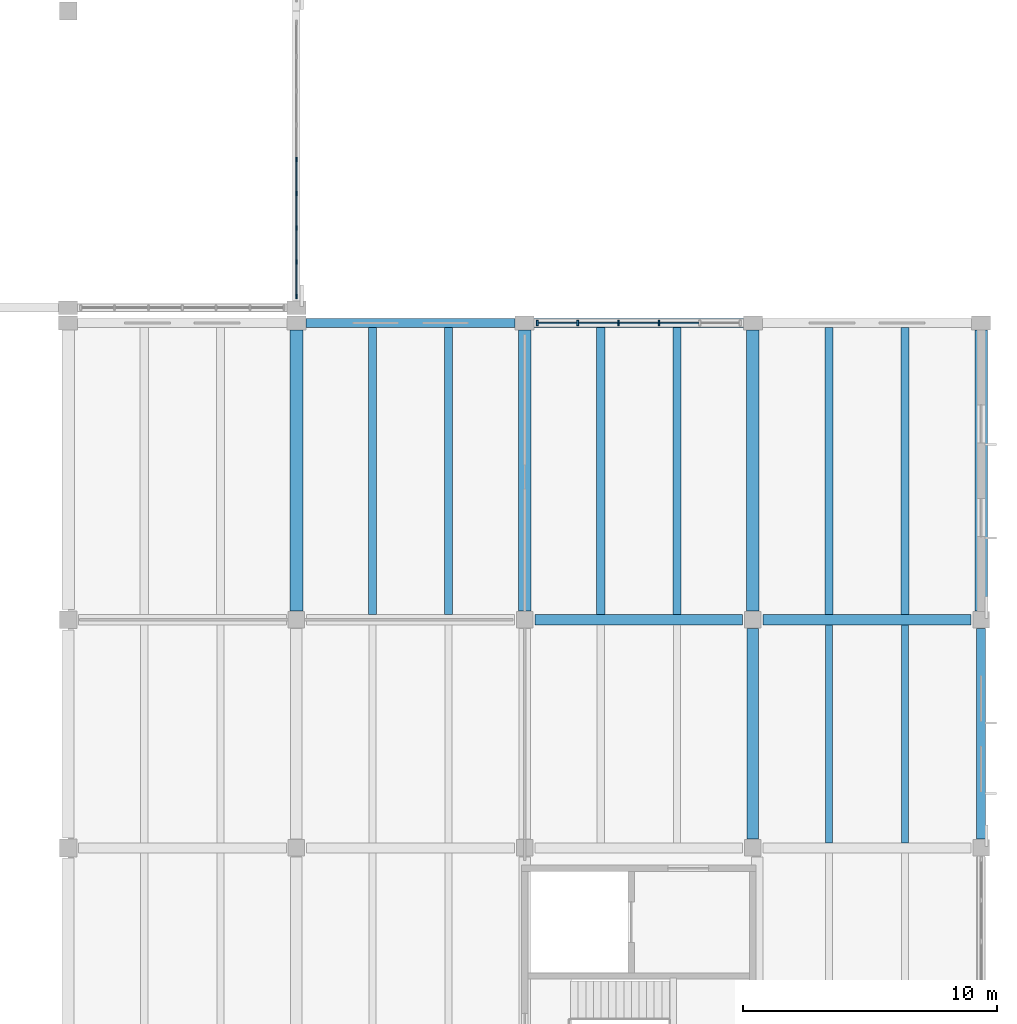
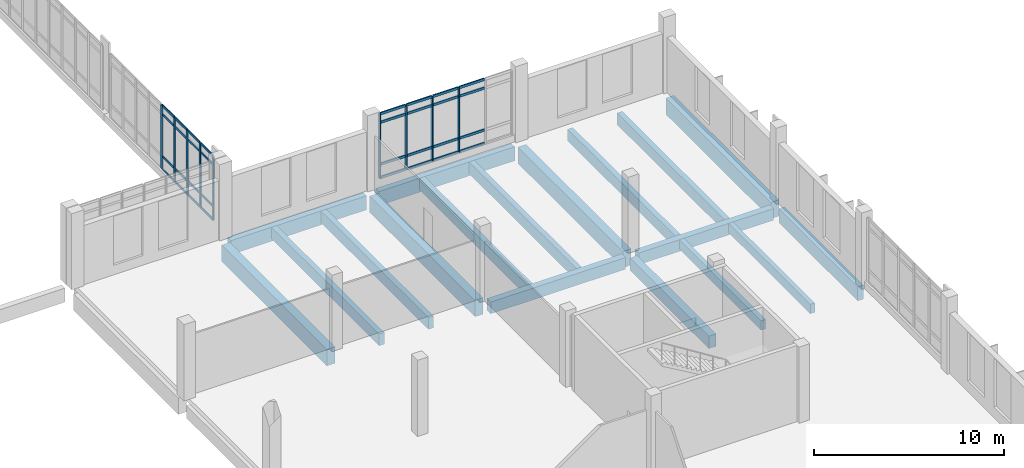
# One storey, part 46 of 110: 41 members, 18 beams, 2 elements without a shape of their own.
"""IFC4 building model written with IfcOpenShell, lengths in metres."""

from ifc_helpers import new_model, si_unit, direction, frame, origin, origin_2d, place, context, subcontext, project, spatial, rectangle, extrude, material, layer, layer_set, material_profile, profile_set, type_object, element, aggregate, save


model = new_model("IFC4")

# Units and contexts
model_context = context("Model", 3, precision=1e-05, world=origin(), true_north=direction((0.0, 1.0)))
body_context = subcontext(model_context, "Body", "Model", "MODEL_VIEW")
ifc_project = project(units=[si_unit("LENGTHUNIT", "METRE"), si_unit("AREAUNIT", "SQUARE_METRE"), si_unit("VOLUMEUNIT", "CUBIC_METRE"), si_unit("PLANEANGLEUNIT", "RADIAN"), si_unit("MASSUNIT", "GRAM", prefix="KILO")], contexts=[model_context])

# Site, building, storey
site_placement = place(None, origin())
site = spatial("IfcSite", under=ifc_project, at=site_placement, CompositionType="ELEMENT")
building_placement = place(site_placement, origin())
building = spatial("IfcBuilding", under=site, at=building_placement, Name="Zacnel Wholesale Market", CompositionType="ELEMENT")
storey_placement = place(building_placement, frame((0.0, 0.0, 6.300048828125)))
storey = spatial("IfcBuildingStorey", under=building, at=storey_placement, Name="L02", CompositionType="ELEMENT", Elevation=6.300048828125)

# Beams
ifc_material_1 = material(Name="Precast concrete C45/55", Category="concrete")
ifc_material_profile_1 = material_profile(ifc_material_1, rectangle(XDim=0.280029296875, YDim=0.60009765625, at=origin_2d()), Name="DT RIB 280x600")
ifc_profile_set_1 = profile_set([ifc_material_profile_1], Name="Precast concrete C45/55")
beam_type_1 = type_object("IfcBeamType", Name="BM-DT600", PredefinedType="JOIST", material=ifc_profile_set_1)
for number, where, z_axis, x_axis, name in (
    (1, (210.0, 75.199951171875, -0.60009765625), (0.0, 1.0, 0.0), (-1.0, 0.0, 0.0), "Precast secondary joist L02-0257"),
    (2, (213.0, 75.199951171875, -0.60009765625), (0.0, 1.0, 0.0), (-1.0, 0.0, 0.0), "Precast secondary joist L02-0258"),
):
    element("IfcBeam", number, at=place(storey_placement, frame(where, z_axis=z_axis, x_axis=x_axis)), inside=storey, type_object=beam_type_1, Name=name, PredefinedType="JOIST", context=body_context, shape_type="SweptSolid", body=[
        extrude(rectangle(XDim=0.280029296875, YDim=0.60009765625, at=origin_2d()), origin(), (0.0, 0.0, 1.0), 8.60009765625),
    ])
ifc_material_2 = material(Name="Precast concrete C45/55", Category="concrete")
ifc_material_profile_2 = material_profile(ifc_material_2, rectangle(XDim=0.320068359375, YDim=0.75, at=origin_2d()), Name="DT RIB 320x750")
ifc_profile_set_2 = profile_set([ifc_material_profile_2], Name="Precast concrete C45/55")
beam_type_2 = type_object("IfcBeamType", Name="BM-DT750", PredefinedType="JOIST", material=ifc_profile_set_2)
for number, where, z_axis, x_axis, name in (
    (3, (192.0, 84.199951171875, -0.675048828125), (0.0, 1.0, 0.0), (-1.0, 0.0, 0.0), "Precast secondary joist L02-0273"),
    (4, (195.0, 84.199951171875, -0.675048828125), (0.0, 1.0, 0.0), (-1.0, 0.0, 0.0), "Precast secondary joist L02-0274"),
    (5, (201.0, 84.199951171875, -0.675048828125), (0.0, 1.0, 0.0), (-1.0, 0.0, 0.0), "Precast secondary joist L02-0275"),
    (6, (204.0, 84.199951171875, -0.675048828125), (0.0, 1.0, 0.0), (-1.0, 0.0, 0.0), "Precast secondary joist L02-0276"),
    (7, (210.0, 84.199951171875, -0.675048828125), (0.0, 1.0, 0.0), (-1.0, 0.0, 0.0), "Precast secondary joist L02-0277"),
    (8, (213.0, 84.199951171875, -0.675048828125), (0.0, 1.0, 0.0), (-1.0, 0.0, 0.0), "Precast secondary joist L02-0278"),
):
    element("IfcBeam", number, at=place(storey_placement, frame(where, z_axis=z_axis, x_axis=x_axis)), inside=storey, type_object=beam_type_2, Name=name, PredefinedType="JOIST", context=body_context, shape_type="SweptSolid", body=[
        extrude(rectangle(XDim=0.320068359375, YDim=0.75, at=origin_2d()), origin(), (0.0, 0.0, 1.0), 11.324951171875),
    ])
ifc_material_3 = material(Name="Precast concrete C45/55", Category="concrete")
ifc_material_profile_3 = material_profile(ifc_material_3, rectangle(XDim=0.5, YDim=1.050048828125, at=origin_2d()), Name="PG 500x1050")
ifc_profile_set_3 = profile_set([ifc_material_profile_3], Name="Precast concrete C45/55")
beam_type_3 = type_object("IfcBeamType", Name="BM-PG1050", PredefinedType="T_BEAM", material=ifc_profile_set_3)
for number, where, z_axis, x_axis, name in (
    (9, (189.0, 84.35009765625, -0.824951171875), (0.0, 1.0, 0.0), (-1.0, 0.0, 0.0), "Precast girder Y-0522"),
    (10, (198.0, 84.35009765625, -0.824951171875), (0.0, 1.0, 0.0), (-1.0, 0.0, 0.0), "Precast girder Y-0534"),
    (11, (207.0, 84.35009765625, -0.824951171875), (0.0, 1.0, 0.0), (-1.0, 0.0, 0.0), "Precast girder Y-0545"),
    (12, (216.0, 84.35009765625, -0.824951171875), (0.0, 1.0, 0.0), (-1.0, 0.0, 0.0), "Precast girder Y-0556"),
):
    element("IfcBeam", number, at=place(storey_placement, frame(where, z_axis=z_axis, x_axis=x_axis)), inside=storey, type_object=beam_type_3, Name=name, PredefinedType="T_BEAM", context=body_context, shape_type="SweptSolid", body=[
        extrude(rectangle(XDim=0.5, YDim=1.050048828125, at=origin_2d()), origin(), (0.0, 0.0, 1.0), 11.074951171875),
    ])
ifc_material_4 = material(Name="Precast concrete C45/55", Category="concrete")
ifc_material_profile_4 = material_profile(ifc_material_4, rectangle(XDim=0.39990234375, YDim=0.75, at=origin_2d()), Name="PG 400x750")
ifc_profile_set_4 = profile_set([ifc_material_profile_4], Name="Precast concrete C45/55")
beam_type_4 = type_object("IfcBeamType", Name="BM-PG750", PredefinedType="BEAM", material=ifc_profile_set_4)
for number, where, z_axis, x_axis, name in (
    (13, (198.39990234375, 84.0, -0.675048828125), (1.0, 0.0, 0.0), (0.0, 1.0, 0.0), "Precast girder X-0207"),
    (14, (207.39990234375, 84.0, -0.675048828125), (1.0, 0.0, 0.0), (0.0, 1.0, 0.0), "Precast girder X-0208"),
):
    element("IfcBeam", number, at=place(storey_placement, frame(where, z_axis=z_axis, x_axis=x_axis)), inside=storey, type_object=beam_type_4, Name=name, PredefinedType="BEAM", context=body_context, shape_type="SweptSolid", body=[
        extrude(rectangle(XDim=0.39990234375, YDim=0.75, at=origin_2d()), origin(), (0.0, 0.0, 1.0), 8.2001953125),
    ])
ifc_material_5 = material(Name="Precast concrete C45/55", Category="concrete")
ifc_material_profile_5 = material_profile(ifc_material_5, rectangle(XDim=0.449951171875, YDim=0.800048828125, at=origin_2d()), Name="PG 450x800")
ifc_profile_set_5 = profile_set([ifc_material_profile_5], Name="Precast concrete C45/55")
beam_type_5 = type_object("IfcBeamType", Name="BM-PG800", PredefinedType="BEAM", material=ifc_profile_set_5)
beam_1_placement = place(storey_placement, frame((207.0, 75.35009765625, -0.699951171875), z_axis=(0.0, 1.0, 0.0), x_axis=(-1.0, 0.0, 0.0)))
element("IfcBeam", 15, at=beam_1_placement, inside=storey, type_object=beam_type_5, Name="Precast girder Y-0544", PredefinedType="BEAM", context=body_context, shape_type="SweptSolid", body=[
    extrude(rectangle(XDim=0.449951171875, YDim=0.800048828125, at=origin_2d()), origin(), (0.0, 0.0, 1.0), 8.2998046875),
])
ifc_material_6 = material(Name="Precast concrete C45/55", Category="concrete")
ifc_material_profile_6 = material_profile(ifc_material_6, rectangle(XDim=0.35009765625, YDim=0.89990234375, at=origin_2d()), Name="SP 350x900")
ifc_profile_set_6 = profile_set([ifc_material_profile_6], Name="Precast concrete C45/55")
beam_type_6 = type_object("IfcBeamType", Name="BM-SP900", PredefinedType="SPANDREL", material=ifc_profile_set_6)
for number, where, z_axis, x_axis, name in (
    (16, (189.375, 95.699951171875, -0.75), (1.0, 0.0, 0.0), (0.0, 1.0, 0.0), "Precast girder X-0218"),
    (17, (198.375, 95.699951171875, -0.75), (1.0, 0.0, 0.0), (0.0, 1.0, 0.0), "Precast girder X-0219"),
):
    element("IfcBeam", number, at=place(storey_placement, frame(where, z_axis=z_axis, x_axis=x_axis)), inside=storey, type_object=beam_type_6, Name=name, PredefinedType="SPANDREL", context=body_context, shape_type="SweptSolid", body=[
        extrude(rectangle(XDim=0.35009765625, YDim=0.89990234375, at=origin_2d()), origin(), (0.0, 0.0, 1.0), 8.25),
    ])
beam_2_placement = place(storey_placement, frame((216.0, 75.35009765625, -0.75), z_axis=(0.0, 1.0, 0.0), x_axis=(-1.0, 0.0, 0.0)))
element("IfcBeam", 18, at=beam_2_placement, inside=storey, type_object=beam_type_6, Name="Precast girder Y-0555", PredefinedType="SPANDREL", context=body_context, shape_type="SweptSolid", body=[
    extrude(rectangle(XDim=0.35009765625, YDim=0.89990234375, at=origin_2d()), origin(), (0.0, 0.0, 1.0), 8.2998046875),
])

# Curtain wall, members
ifc_material_7 = material(Name="Anodised aluminium", Category="aluminium")
ifc_layer_1 = layer(ifc_material_7, 0.159912109375)
ifc_layer_set_1 = layer_set([ifc_layer_1], Name="Anodised aluminium")
curtain_wall_type_1 = type_object("IfcCurtainWallType", Name="CW-COURT-4500", PredefinedType="NOTDEFINED", material=ifc_layer_set_1)
curtain_wall_1_placement = place(storey_placement, origin())
curtain_wall_1 = element("IfcCurtainWall", 19, at=curtain_wall_1_placement, inside=storey, type_object=curtain_wall_type_1, Name="Curtain wall ENV-R2-CW-L02-046", PredefinedType="NOTDEFINED")
ifc_material_8 = material(Name="Anodised aluminium", Category="aluminium")
ifc_material_profile_7 = material_profile(ifc_material_8, rectangle(XDim=0.070068359375, YDim=0.199951171875, at=origin_2d()), Name="AW-MULLION 70x200")
ifc_profile_set_7 = profile_set([ifc_material_profile_7], Name="Anodised aluminium")
member_type_1 = type_object("IfcMemberType", Name="CWM-MUL-02", PredefinedType="MULLION", material=ifc_profile_set_7)
member_1_placement = place(storey_placement, frame((198.4951171875, 95.699951171875, 0.449951171875), z_axis=(0.0, 0.0, 1.0), x_axis=(1.0, 0.0, 0.0)))
member_1 = element("IfcMember", 20, at=member_1_placement, type_object=member_type_1, Name="ENV-R2-CW-L02-046 mullion 01", PredefinedType="MULLION", context=body_context, shape_type="SweptSolid", body=[
    extrude(rectangle(XDim=0.070068359375, YDim=0.199951171875, at=origin_2d()), origin(), (0.0, 0.0, 1.0), 4.10009765625),
])
member_2_placement = place(storey_placement, frame((200.096923828125, 95.699951171875, 0.449951171875), z_axis=(0.0, 0.0, 1.0), x_axis=(1.0, 0.0, 0.0)))
member_2 = element("IfcMember", 21, at=member_2_placement, type_object=member_type_1, Name="ENV-R2-CW-L02-046 mullion 02", PredefinedType="MULLION", context=body_context, shape_type="SweptSolid", body=[
    extrude(rectangle(XDim=0.070068359375, YDim=0.199951171875, at=origin_2d()), origin(), (0.0, 0.0, 1.0), 4.10009765625),
])
member_3_placement = place(storey_placement, frame((201.698974609375, 95.699951171875, 0.449951171875), z_axis=(0.0, 0.0, 1.0), x_axis=(1.0, 0.0, 0.0)))
member_3 = element("IfcMember", 22, at=member_3_placement, type_object=member_type_1, Name="ENV-R2-CW-L02-046 mullion 03", PredefinedType="MULLION", context=body_context, shape_type="SweptSolid", body=[
    extrude(rectangle(XDim=0.070068359375, YDim=0.199951171875, at=origin_2d()), origin(), (0.0, 0.0, 1.0), 4.10009765625),
])
member_4_placement = place(storey_placement, frame((203.301025390625, 95.699951171875, 0.449951171875), z_axis=(0.0, 0.0, 1.0), x_axis=(1.0, 0.0, 0.0)))
member_4 = element("IfcMember", 23, at=member_4_placement, type_object=member_type_1, Name="ENV-R2-CW-L02-046 mullion 04", PredefinedType="MULLION", context=body_context, shape_type="SweptSolid", body=[
    extrude(rectangle(XDim=0.070068359375, YDim=0.199951171875, at=origin_2d()), origin(), (0.0, 0.0, 1.0), 4.10009765625),
])

ifc_material_9 = material(Name="Anodised aluminium", Category="aluminium")
ifc_layer_2 = layer(ifc_material_9, 0.159912109375)
ifc_layer_set_2 = layer_set([ifc_layer_2], Name="Anodised aluminium")
curtain_wall_type_2 = type_object("IfcCurtainWallType", Name="CW-NAVE-4200", PredefinedType="NOTDEFINED", material=ifc_layer_set_2)
curtain_wall_2_placement = place(storey_placement, origin())
curtain_wall_2 = element("IfcCurtainWall", 24, at=curtain_wall_2_placement, inside=storey, type_object=curtain_wall_type_2, Name="Curtain wall ENV-R2-CW-L02-032", PredefinedType="NOTDEFINED")
ifc_material_10 = material(Name="Anodised aluminium", Category="aluminium")
ifc_material_profile_8 = material_profile(ifc_material_10, rectangle(XDim=0.06494140625, YDim=0.179931640625, at=origin_2d()), Name="AW-MULLION 65x180")
ifc_profile_set_8 = profile_set([ifc_material_profile_8], Name="Anodised aluminium")
member_type_2 = type_object("IfcMemberType", Name="CWM-MUL-03", PredefinedType="MULLION", material=ifc_profile_set_8)
member_5_placement = place(storey_placement, frame((189.0, 96.75, 0.449951171875), z_axis=(0.0, 0.0, 1.0), x_axis=(1.0, 0.0, 0.0)))
member_5 = element("IfcMember", 25, at=member_5_placement, type_object=member_type_2, Name="ENV-R2-CW-L02-032 mullion 01", PredefinedType="MULLION", context=body_context, shape_type="SweptSolid", body=[
    extrude(rectangle(XDim=0.06494140625, YDim=0.179931640625, at=origin_2d()), origin(), (0.0, 0.0, 1.0), 4.10009765625),
])
member_6_placement = place(storey_placement, frame((189.0, 98.10009765625, 0.449951171875), z_axis=(0.0, 0.0, 1.0), x_axis=(1.0, 0.0, 0.0)))
member_6 = element("IfcMember", 26, at=member_6_placement, type_object=member_type_2, Name="ENV-R2-CW-L02-032 mullion 02", PredefinedType="MULLION", context=body_context, shape_type="SweptSolid", body=[
    extrude(rectangle(XDim=0.06494140625, YDim=0.179931640625, at=origin_2d()), origin(), (0.0, 0.0, 1.0), 4.10009765625),
])
member_7_placement = place(storey_placement, frame((189.0, 99.449951171875, 0.449951171875), z_axis=(0.0, 0.0, 1.0), x_axis=(1.0, 0.0, 0.0)))
member_7 = element("IfcMember", 27, at=member_7_placement, type_object=member_type_2, Name="ENV-R2-CW-L02-032 mullion 03", PredefinedType="MULLION", context=body_context, shape_type="SweptSolid", body=[
    extrude(rectangle(XDim=0.06494140625, YDim=0.179931640625, at=origin_2d()), origin(), (0.0, 0.0, 1.0), 4.10009765625),
])
member_8_placement = place(storey_placement, frame((189.0, 100.800048828125, 0.449951171875), z_axis=(0.0, 0.0, 1.0), x_axis=(1.0, 0.0, 0.0)))
member_8 = element("IfcMember", 28, at=member_8_placement, type_object=member_type_2, Name="ENV-R2-CW-L02-032 mullion 04", PredefinedType="MULLION", context=body_context, shape_type="SweptSolid", body=[
    extrude(rectangle(XDim=0.06494140625, YDim=0.179931640625, at=origin_2d()), origin(), (0.0, 0.0, 1.0), 4.10009765625),
])
member_9_placement = place(storey_placement, frame((189.0, 102.14990234375, 0.449951171875), z_axis=(0.0, 0.0, 1.0), x_axis=(1.0, 0.0, 0.0)))
member_9 = element("IfcMember", 29, at=member_9_placement, type_object=member_type_2, Name="ENV-R2-CW-L02-032 mullion 05", PredefinedType="MULLION", context=body_context, shape_type="SweptSolid", body=[
    extrude(rectangle(XDim=0.06494140625, YDim=0.179931640625, at=origin_2d()), origin(), (0.0, 0.0, 1.0), 4.10009765625),
])

# Member
ifc_material_11 = material(Name="Anodised aluminium", Category="aluminium")
ifc_material_profile_9 = material_profile(ifc_material_11, rectangle(XDim=0.070068359375, YDim=0.159912109375, at=origin_2d()), Name="AW-TRANSOM 70x160")
ifc_profile_set_9 = profile_set([ifc_material_profile_9], Name="Anodised aluminium")
member_type_3 = type_object("IfcMemberType", Name="CWM-TRN-02", PredefinedType="USERDEFINED", material=ifc_profile_set_9)
member_10_placement = place(storey_placement, frame((198.530029296875, 95.699951171875, 0.449951171875), z_axis=(1.0, 0.0, 0.0), x_axis=(0.0, 1.0, 0.0)))
member_10 = element("IfcMember", 30, at=member_10_placement, type_object=member_type_3, Name="ENV-R2-CW-L02-046 transom 1-1", ObjectType="TRANSOM", PredefinedType="USERDEFINED", context=body_context, shape_type="SweptSolid", body=[
    extrude(rectangle(XDim=0.070068359375, YDim=0.159912109375, at=origin_2d()), origin(), (0.0, 0.0, 1.0), 1.531982421875),
])

member_11_placement = place(storey_placement, frame((198.530029296875, 95.699951171875, 1.300048828125), z_axis=(1.0, 0.0, 0.0), x_axis=(0.0, 1.0, 0.0)))
member_11 = element("IfcMember", 31, at=member_11_placement, type_object=member_type_3, Name="ENV-R2-CW-L02-046 transom 1-2", ObjectType="TRANSOM", PredefinedType="USERDEFINED", context=body_context, shape_type="SweptSolid", body=[
    extrude(rectangle(XDim=0.070068359375, YDim=0.159912109375, at=origin_2d()), origin(), (0.0, 0.0, 1.0), 1.531982421875),
])

member_12_placement = place(storey_placement, frame((198.530029296875, 95.699951171875, 4.0), z_axis=(1.0, 0.0, 0.0), x_axis=(0.0, 1.0, 0.0)))
member_12 = element("IfcMember", 32, at=member_12_placement, type_object=member_type_3, Name="ENV-R2-CW-L02-046 transom 1-3", ObjectType="TRANSOM", PredefinedType="USERDEFINED", context=body_context, shape_type="SweptSolid", body=[
    extrude(rectangle(XDim=0.070068359375, YDim=0.159912109375, at=origin_2d()), origin(), (0.0, 0.0, 1.0), 1.531982421875),
])

member_13_placement = place(storey_placement, frame((198.530029296875, 95.699951171875, 4.550048828125), z_axis=(1.0, 0.0, 0.0), x_axis=(0.0, 1.0, 0.0)))
member_13 = element("IfcMember", 33, at=member_13_placement, type_object=member_type_3, Name="ENV-R2-CW-L02-046 transom 1-4", ObjectType="TRANSOM", PredefinedType="USERDEFINED", context=body_context, shape_type="SweptSolid", body=[
    extrude(rectangle(XDim=0.070068359375, YDim=0.159912109375, at=origin_2d()), origin(), (0.0, 0.0, 1.0), 1.531982421875),
])

member_14_placement = place(storey_placement, frame((200.132080078125, 95.699951171875, 0.449951171875), z_axis=(1.0, 0.0, 0.0), x_axis=(0.0, 1.0, 0.0)))
member_14 = element("IfcMember", 34, at=member_14_placement, type_object=member_type_3, Name="ENV-R2-CW-L02-046 transom 2-1", ObjectType="TRANSOM", PredefinedType="USERDEFINED", context=body_context, shape_type="SweptSolid", body=[
    extrude(rectangle(XDim=0.070068359375, YDim=0.159912109375, at=origin_2d()), origin(), (0.0, 0.0, 1.0), 1.531982421875),
])

member_15_placement = place(storey_placement, frame((200.132080078125, 95.699951171875, 1.300048828125), z_axis=(1.0, 0.0, 0.0), x_axis=(0.0, 1.0, 0.0)))
member_15 = element("IfcMember", 35, at=member_15_placement, type_object=member_type_3, Name="ENV-R2-CW-L02-046 transom 2-2", ObjectType="TRANSOM", PredefinedType="USERDEFINED", context=body_context, shape_type="SweptSolid", body=[
    extrude(rectangle(XDim=0.070068359375, YDim=0.159912109375, at=origin_2d()), origin(), (0.0, 0.0, 1.0), 1.531982421875),
])

member_16_placement = place(storey_placement, frame((200.132080078125, 95.699951171875, 4.0), z_axis=(1.0, 0.0, 0.0), x_axis=(0.0, 1.0, 0.0)))
member_16 = element("IfcMember", 36, at=member_16_placement, type_object=member_type_3, Name="ENV-R2-CW-L02-046 transom 2-3", ObjectType="TRANSOM", PredefinedType="USERDEFINED", context=body_context, shape_type="SweptSolid", body=[
    extrude(rectangle(XDim=0.070068359375, YDim=0.159912109375, at=origin_2d()), origin(), (0.0, 0.0, 1.0), 1.531982421875),
])

member_17_placement = place(storey_placement, frame((200.132080078125, 95.699951171875, 4.550048828125), z_axis=(1.0, 0.0, 0.0), x_axis=(0.0, 1.0, 0.0)))
member_17 = element("IfcMember", 37, at=member_17_placement, type_object=member_type_3, Name="ENV-R2-CW-L02-046 transom 2-4", ObjectType="TRANSOM", PredefinedType="USERDEFINED", context=body_context, shape_type="SweptSolid", body=[
    extrude(rectangle(XDim=0.070068359375, YDim=0.159912109375, at=origin_2d()), origin(), (0.0, 0.0, 1.0), 1.531982421875),
])

member_18_placement = place(storey_placement, frame((201.73388671875, 95.699951171875, 0.449951171875), z_axis=(1.0, 0.0, 0.0), x_axis=(0.0, 1.0, 0.0)))
member_18 = element("IfcMember", 38, at=member_18_placement, type_object=member_type_3, Name="ENV-R2-CW-L02-046 transom 3-1", ObjectType="TRANSOM", PredefinedType="USERDEFINED", context=body_context, shape_type="SweptSolid", body=[
    extrude(rectangle(XDim=0.070068359375, YDim=0.159912109375, at=origin_2d()), origin(), (0.0, 0.0, 1.0), 1.5322265625),
])

member_19_placement = place(storey_placement, frame((201.73388671875, 95.699951171875, 1.300048828125), z_axis=(1.0, 0.0, 0.0), x_axis=(0.0, 1.0, 0.0)))
member_19 = element("IfcMember", 39, at=member_19_placement, type_object=member_type_3, Name="ENV-R2-CW-L02-046 transom 3-2", ObjectType="TRANSOM", PredefinedType="USERDEFINED", context=body_context, shape_type="SweptSolid", body=[
    extrude(rectangle(XDim=0.070068359375, YDim=0.159912109375, at=origin_2d()), origin(), (0.0, 0.0, 1.0), 1.5322265625),
])

member_20_placement = place(storey_placement, frame((201.73388671875, 95.699951171875, 4.0), z_axis=(1.0, 0.0, 0.0), x_axis=(0.0, 1.0, 0.0)))
member_20 = element("IfcMember", 40, at=member_20_placement, type_object=member_type_3, Name="ENV-R2-CW-L02-046 transom 3-3", ObjectType="TRANSOM", PredefinedType="USERDEFINED", context=body_context, shape_type="SweptSolid", body=[
    extrude(rectangle(XDim=0.070068359375, YDim=0.159912109375, at=origin_2d()), origin(), (0.0, 0.0, 1.0), 1.5322265625),
])

member_21_placement = place(storey_placement, frame((201.73388671875, 95.699951171875, 4.550048828125), z_axis=(1.0, 0.0, 0.0), x_axis=(0.0, 1.0, 0.0)))
member_21 = element("IfcMember", 41, at=member_21_placement, type_object=member_type_3, Name="ENV-R2-CW-L02-046 transom 3-4", ObjectType="TRANSOM", PredefinedType="USERDEFINED", context=body_context, shape_type="SweptSolid", body=[
    extrude(rectangle(XDim=0.070068359375, YDim=0.159912109375, at=origin_2d()), origin(), (0.0, 0.0, 1.0), 1.5322265625),
])

member_22_placement = place(storey_placement, frame((203.3359375, 95.699951171875, 0.449951171875), z_axis=(1.0, 0.0, 0.0), x_axis=(0.0, 1.0, 0.0)))
member_22 = element("IfcMember", 42, at=member_22_placement, type_object=member_type_3, Name="ENV-R2-CW-L02-046 transom 4-1", ObjectType="TRANSOM", PredefinedType="USERDEFINED", context=body_context, shape_type="SweptSolid", body=[
    extrude(rectangle(XDim=0.070068359375, YDim=0.159912109375, at=origin_2d()), origin(), (0.0, 0.0, 1.0), 1.531982421875),
])

member_23_placement = place(storey_placement, frame((203.3359375, 95.699951171875, 1.300048828125), z_axis=(1.0, 0.0, 0.0), x_axis=(0.0, 1.0, 0.0)))
member_23 = element("IfcMember", 43, at=member_23_placement, type_object=member_type_3, Name="ENV-R2-CW-L02-046 transom 4-2", ObjectType="TRANSOM", PredefinedType="USERDEFINED", context=body_context, shape_type="SweptSolid", body=[
    extrude(rectangle(XDim=0.070068359375, YDim=0.159912109375, at=origin_2d()), origin(), (0.0, 0.0, 1.0), 1.531982421875),
])

member_24_placement = place(storey_placement, frame((203.3359375, 95.699951171875, 4.0), z_axis=(1.0, 0.0, 0.0), x_axis=(0.0, 1.0, 0.0)))
member_24 = element("IfcMember", 44, at=member_24_placement, type_object=member_type_3, Name="ENV-R2-CW-L02-046 transom 4-3", ObjectType="TRANSOM", PredefinedType="USERDEFINED", context=body_context, shape_type="SweptSolid", body=[
    extrude(rectangle(XDim=0.070068359375, YDim=0.159912109375, at=origin_2d()), origin(), (0.0, 0.0, 1.0), 1.531982421875),
])

member_25_placement = place(storey_placement, frame((203.3359375, 95.699951171875, 4.550048828125), z_axis=(1.0, 0.0, 0.0), x_axis=(0.0, 1.0, 0.0)))
member_25 = element("IfcMember", 45, at=member_25_placement, type_object=member_type_3, Name="ENV-R2-CW-L02-046 transom 4-4", ObjectType="TRANSOM", PredefinedType="USERDEFINED", context=body_context, shape_type="SweptSolid", body=[
    extrude(rectangle(XDim=0.070068359375, YDim=0.159912109375, at=origin_2d()), origin(), (0.0, 0.0, 1.0), 1.531982421875),
])

aggregate(curtain_wall_1, [member_1, member_2, member_3, member_4, member_10, member_11, member_12, member_13, member_14, member_15, member_16, member_17, member_18, member_19, member_20, member_21, member_22, member_23, member_24, member_25])

ifc_material_12 = material(Name="Anodised aluminium", Category="aluminium")
ifc_material_profile_10 = material_profile(ifc_material_12, rectangle(XDim=0.06494140625, YDim=0.139892578125, at=origin_2d()), Name="AW-TRANSOM 65x140")
ifc_profile_set_10 = profile_set([ifc_material_profile_10], Name="Anodised aluminium")
member_type_4 = type_object("IfcMemberType", Name="CWM-TRN-03", PredefinedType="USERDEFINED", material=ifc_profile_set_10)
member_26_placement = place(storey_placement, frame((189.0, 96.784912109375, 0.449951171875), z_axis=(0.0, 1.0, 0.0), x_axis=(-1.0, 0.0, 0.0)))
member_26 = element("IfcMember", 46, at=member_26_placement, type_object=member_type_4, Name="ENV-R2-CW-L02-032 transom 1-1", ObjectType="TRANSOM", PredefinedType="USERDEFINED", context=body_context, shape_type="SweptSolid", body=[
    extrude(rectangle(XDim=0.06494140625, YDim=0.139892578125, at=origin_2d()), origin(), (0.0, 0.0, 1.0), 1.280029296875),
])

member_27_placement = place(storey_placement, frame((189.0, 96.784912109375, 1.300048828125), z_axis=(0.0, 1.0, 0.0), x_axis=(-1.0, 0.0, 0.0)))
member_27 = element("IfcMember", 47, at=member_27_placement, type_object=member_type_4, Name="ENV-R2-CW-L02-032 transom 1-2", ObjectType="TRANSOM", PredefinedType="USERDEFINED", context=body_context, shape_type="SweptSolid", body=[
    extrude(rectangle(XDim=0.06494140625, YDim=0.139892578125, at=origin_2d()), origin(), (0.0, 0.0, 1.0), 1.280029296875),
])

member_28_placement = place(storey_placement, frame((189.0, 96.784912109375, 4.0), z_axis=(0.0, 1.0, 0.0), x_axis=(-1.0, 0.0, 0.0)))
member_28 = element("IfcMember", 48, at=member_28_placement, type_object=member_type_4, Name="ENV-R2-CW-L02-032 transom 1-3", ObjectType="TRANSOM", PredefinedType="USERDEFINED", context=body_context, shape_type="SweptSolid", body=[
    extrude(rectangle(XDim=0.06494140625, YDim=0.139892578125, at=origin_2d()), origin(), (0.0, 0.0, 1.0), 1.280029296875),
])

member_29_placement = place(storey_placement, frame((189.0, 96.784912109375, 4.550048828125), z_axis=(0.0, 1.0, 0.0), x_axis=(-1.0, 0.0, 0.0)))
member_29 = element("IfcMember", 49, at=member_29_placement, type_object=member_type_4, Name="ENV-R2-CW-L02-032 transom 1-4", ObjectType="TRANSOM", PredefinedType="USERDEFINED", context=body_context, shape_type="SweptSolid", body=[
    extrude(rectangle(XDim=0.06494140625, YDim=0.139892578125, at=origin_2d()), origin(), (0.0, 0.0, 1.0), 1.280029296875),
])

member_30_placement = place(storey_placement, frame((189.0, 98.135009765625, 0.449951171875), z_axis=(0.0, 1.0, 0.0), x_axis=(-1.0, 0.0, 0.0)))
member_30 = element("IfcMember", 50, at=member_30_placement, type_object=member_type_4, Name="ENV-R2-CW-L02-032 transom 2-1", ObjectType="TRANSOM", PredefinedType="USERDEFINED", context=body_context, shape_type="SweptSolid", body=[
    extrude(rectangle(XDim=0.06494140625, YDim=0.139892578125, at=origin_2d()), origin(), (0.0, 0.0, 1.0), 1.280029296875),
])

member_31_placement = place(storey_placement, frame((189.0, 98.135009765625, 1.300048828125), z_axis=(0.0, 1.0, 0.0), x_axis=(-1.0, 0.0, 0.0)))
member_31 = element("IfcMember", 51, at=member_31_placement, type_object=member_type_4, Name="ENV-R2-CW-L02-032 transom 2-2", ObjectType="TRANSOM", PredefinedType="USERDEFINED", context=body_context, shape_type="SweptSolid", body=[
    extrude(rectangle(XDim=0.06494140625, YDim=0.139892578125, at=origin_2d()), origin(), (0.0, 0.0, 1.0), 1.280029296875),
])

member_32_placement = place(storey_placement, frame((189.0, 98.135009765625, 4.0), z_axis=(0.0, 1.0, 0.0), x_axis=(-1.0, 0.0, 0.0)))
member_32 = element("IfcMember", 52, at=member_32_placement, type_object=member_type_4, Name="ENV-R2-CW-L02-032 transom 2-3", ObjectType="TRANSOM", PredefinedType="USERDEFINED", context=body_context, shape_type="SweptSolid", body=[
    extrude(rectangle(XDim=0.06494140625, YDim=0.139892578125, at=origin_2d()), origin(), (0.0, 0.0, 1.0), 1.280029296875),
])

member_33_placement = place(storey_placement, frame((189.0, 98.135009765625, 4.550048828125), z_axis=(0.0, 1.0, 0.0), x_axis=(-1.0, 0.0, 0.0)))
member_33 = element("IfcMember", 53, at=member_33_placement, type_object=member_type_4, Name="ENV-R2-CW-L02-032 transom 2-4", ObjectType="TRANSOM", PredefinedType="USERDEFINED", context=body_context, shape_type="SweptSolid", body=[
    extrude(rectangle(XDim=0.06494140625, YDim=0.139892578125, at=origin_2d()), origin(), (0.0, 0.0, 1.0), 1.280029296875),
])

member_34_placement = place(storey_placement, frame((189.0, 99.485107421875, 0.449951171875), z_axis=(0.0, 1.0, 0.0), x_axis=(-1.0, 0.0, 0.0)))
member_34 = element("IfcMember", 54, at=member_34_placement, type_object=member_type_4, Name="ENV-R2-CW-L02-032 transom 3-1", ObjectType="TRANSOM", PredefinedType="USERDEFINED", context=body_context, shape_type="SweptSolid", body=[
    extrude(rectangle(XDim=0.06494140625, YDim=0.139892578125, at=origin_2d()), origin(), (0.0, 0.0, 1.0), 1.27978515625),
])

member_35_placement = place(storey_placement, frame((189.0, 99.485107421875, 1.300048828125), z_axis=(0.0, 1.0, 0.0), x_axis=(-1.0, 0.0, 0.0)))
member_35 = element("IfcMember", 55, at=member_35_placement, type_object=member_type_4, Name="ENV-R2-CW-L02-032 transom 3-2", ObjectType="TRANSOM", PredefinedType="USERDEFINED", context=body_context, shape_type="SweptSolid", body=[
    extrude(rectangle(XDim=0.06494140625, YDim=0.139892578125, at=origin_2d()), origin(), (0.0, 0.0, 1.0), 1.27978515625),
])

member_36_placement = place(storey_placement, frame((189.0, 99.485107421875, 4.0), z_axis=(0.0, 1.0, 0.0), x_axis=(-1.0, 0.0, 0.0)))
member_36 = element("IfcMember", 56, at=member_36_placement, type_object=member_type_4, Name="ENV-R2-CW-L02-032 transom 3-3", ObjectType="TRANSOM", PredefinedType="USERDEFINED", context=body_context, shape_type="SweptSolid", body=[
    extrude(rectangle(XDim=0.06494140625, YDim=0.139892578125, at=origin_2d()), origin(), (0.0, 0.0, 1.0), 1.27978515625),
])

member_37_placement = place(storey_placement, frame((189.0, 99.485107421875, 4.550048828125), z_axis=(0.0, 1.0, 0.0), x_axis=(-1.0, 0.0, 0.0)))
member_37 = element("IfcMember", 57, at=member_37_placement, type_object=member_type_4, Name="ENV-R2-CW-L02-032 transom 3-4", ObjectType="TRANSOM", PredefinedType="USERDEFINED", context=body_context, shape_type="SweptSolid", body=[
    extrude(rectangle(XDim=0.06494140625, YDim=0.139892578125, at=origin_2d()), origin(), (0.0, 0.0, 1.0), 1.27978515625),
])

member_38_placement = place(storey_placement, frame((189.0, 100.8349609375, 0.449951171875), z_axis=(0.0, 1.0, 0.0), x_axis=(-1.0, 0.0, 0.0)))
member_38 = element("IfcMember", 58, at=member_38_placement, type_object=member_type_4, Name="ENV-R2-CW-L02-032 transom 4-1", ObjectType="TRANSOM", PredefinedType="USERDEFINED", context=body_context, shape_type="SweptSolid", body=[
    extrude(rectangle(XDim=0.06494140625, YDim=0.139892578125, at=origin_2d()), origin(), (0.0, 0.0, 1.0), 1.280029296875),
])

member_39_placement = place(storey_placement, frame((189.0, 100.8349609375, 1.300048828125), z_axis=(0.0, 1.0, 0.0), x_axis=(-1.0, 0.0, 0.0)))
member_39 = element("IfcMember", 59, at=member_39_placement, type_object=member_type_4, Name="ENV-R2-CW-L02-032 transom 4-2", ObjectType="TRANSOM", PredefinedType="USERDEFINED", context=body_context, shape_type="SweptSolid", body=[
    extrude(rectangle(XDim=0.06494140625, YDim=0.139892578125, at=origin_2d()), origin(), (0.0, 0.0, 1.0), 1.280029296875),
])

member_40_placement = place(storey_placement, frame((189.0, 100.8349609375, 4.0), z_axis=(0.0, 1.0, 0.0), x_axis=(-1.0, 0.0, 0.0)))
member_40 = element("IfcMember", 60, at=member_40_placement, type_object=member_type_4, Name="ENV-R2-CW-L02-032 transom 4-3", ObjectType="TRANSOM", PredefinedType="USERDEFINED", context=body_context, shape_type="SweptSolid", body=[
    extrude(rectangle(XDim=0.06494140625, YDim=0.139892578125, at=origin_2d()), origin(), (0.0, 0.0, 1.0), 1.280029296875),
])

member_41_placement = place(storey_placement, frame((189.0, 100.8349609375, 4.550048828125), z_axis=(0.0, 1.0, 0.0), x_axis=(-1.0, 0.0, 0.0)))
member_41 = element("IfcMember", 61, at=member_41_placement, type_object=member_type_4, Name="ENV-R2-CW-L02-032 transom 4-4", ObjectType="TRANSOM", PredefinedType="USERDEFINED", context=body_context, shape_type="SweptSolid", body=[
    extrude(rectangle(XDim=0.06494140625, YDim=0.139892578125, at=origin_2d()), origin(), (0.0, 0.0, 1.0), 1.280029296875),
])

aggregate(curtain_wall_2, [member_5, member_6, member_7, member_8, member_9, member_26, member_27, member_28, member_29, member_30, member_31, member_32, member_33, member_34, member_35, member_36, member_37, member_38, member_39, member_40, member_41])

save(model, "model.ifc")
